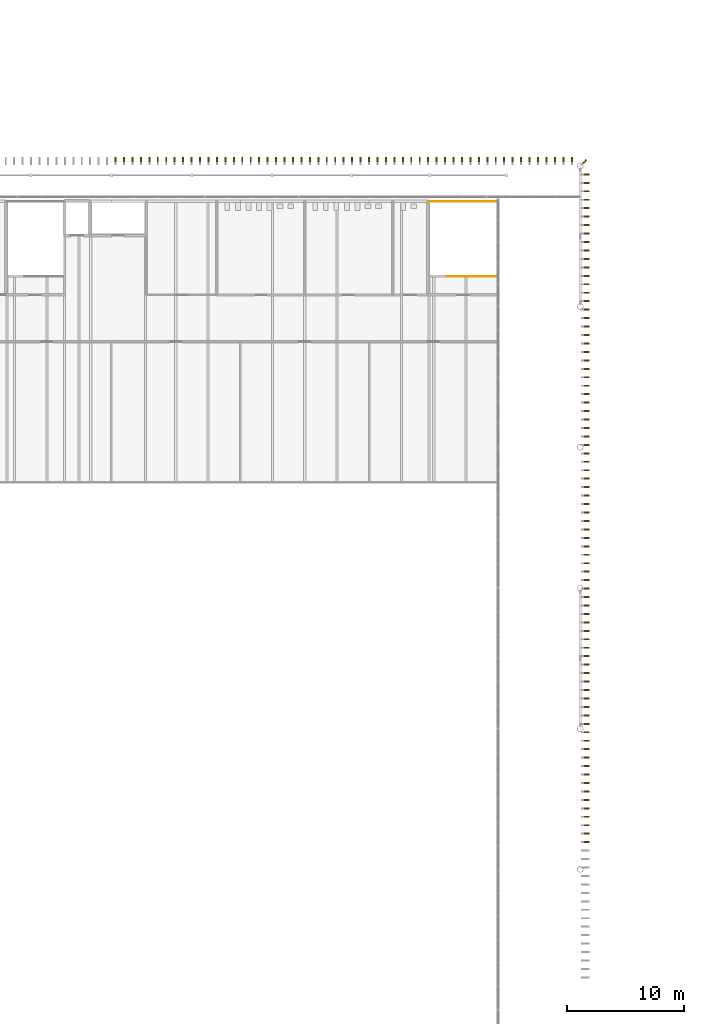
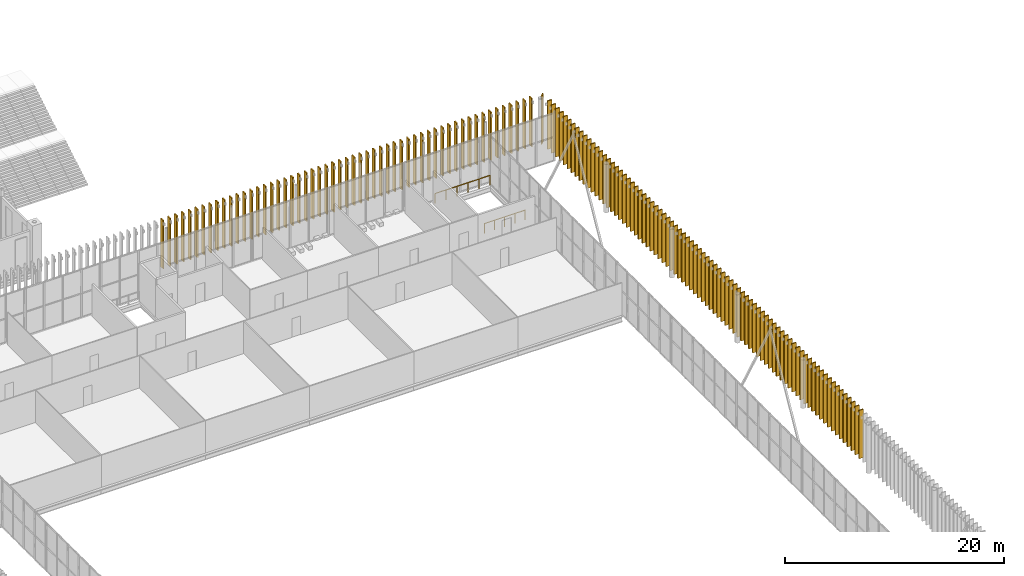
# One storey, part 163 of 170: 136 shading devices, 2 railings.
"""IFC4 building model written with IfcOpenShell, lengths in metres."""

from ifc_helpers import new_model, si_unit, direction, frame, origin, origin_2d, place, context, subcontext, project, spatial, rectangle, circle, extrude, material, layer, layer_set, type_object, element, save


model = new_model("IFC4")

# Units and contexts
model_context = context("Model", 3, precision=1e-05, world=origin(), true_north=direction((0.0, 1.0)))
body_context = subcontext(model_context, "Body", "Model", "MODEL_VIEW")
ifc_project = project(units=[si_unit("LENGTHUNIT", "METRE"), si_unit("AREAUNIT", "SQUARE_METRE"), si_unit("VOLUMEUNIT", "CUBIC_METRE"), si_unit("PLANEANGLEUNIT", "RADIAN"), si_unit("MASSUNIT", "GRAM", prefix="KILO")], contexts=[model_context])

# Site, building, storey
site_placement = place(None, origin())
site = spatial("IfcSite", under=ifc_project, at=site_placement, CompositionType="ELEMENT")
building_placement = place(site_placement, origin())
building = spatial("IfcBuilding", under=site, at=building_placement, Name="Ravi Spectrum Wholesale Market", CompositionType="ELEMENT")
storey_placement = place(building_placement, frame((0.0, 0.0, 5.39990234375)))
storey = spatial("IfcBuildingStorey", under=building, at=storey_placement, Name="L01", CompositionType="ELEMENT", Elevation=5.39990234375)

# Shading devices
ifc_material_1 = material(Name="Glazed ceramic teal 17")
ifc_layer_1 = layer(ifc_material_1, 0.1201171875)
ifc_layer_set_1 = layer_set([ifc_layer_1], Name="Glazed ceramic teal 17")
shading_device_type_1 = type_object("IfcShadingDeviceType", Name="Glazed ceramic fin 17", PredefinedType="USERDEFINED", material=ifc_layer_set_1)
for number, where, z_axis, x_axis, name in (
    (1, (110.52490234375, 140.317626953125, 0.000244140625), (0.0, 0.0, 1.0), (0.0, 1.0, 0.0), "Fin F507 Glazed ceramic teal 17"),
    (2, (110.52490234375, 141.03857421875, 0.000244140625), (0.0, 0.0, 1.0), (0.0, 1.0, 0.0), "Fin F508 Glazed ceramic teal 17"),
    (3, (110.52490234375, 141.759765625, 0.000244140625), (0.0, 0.0, 1.0), (0.0, 1.0, 0.0), "Fin F509 Glazed ceramic teal 17"),
    (4, (110.52490234375, 142.480712890625, 0.000244140625), (0.0, 0.0, 1.0), (0.0, 1.0, 0.0), "Fin F510 Glazed ceramic teal 17"),
    (5, (110.52490234375, 143.20166015625, 0.000244140625), (0.0, 0.0, 1.0), (0.0, 1.0, 0.0), "Fin F511 Glazed ceramic teal 17"),
):
    element("IfcShadingDevice", number, at=place(storey_placement, frame(where, z_axis=z_axis, x_axis=x_axis)), inside=storey, type_object=shading_device_type_1, Name=name, ObjectType="FIN", PredefinedType="USERDEFINED", context=body_context, shape_type="SweptSolid", body=[
        extrude(rectangle(XDim=0.1201171875, YDim=0.449951171875, at=origin_2d()), origin(), (0.0, 0.0, 1.0), 5.39990234375),
    ])
ifc_material_2 = material(Name="Glazed ceramic cyan 18")
ifc_layer_2 = layer(ifc_material_2, 0.1201171875)
ifc_layer_set_2 = layer_set([ifc_layer_2], Name="Glazed ceramic cyan 18")
shading_device_type_2 = type_object("IfcShadingDeviceType", Name="Glazed ceramic fin 18", PredefinedType="USERDEFINED", material=ifc_layer_set_2)
for number, where, z_axis, x_axis, name in (
    (6, (110.52490234375, 143.9228515625, 0.000244140625), (0.0, 0.0, 1.0), (0.0, 1.0, 0.0), "Fin F512 Glazed ceramic cyan 18"),
    (7, (110.52490234375, 144.643798828125, 0.000244140625), (0.0, 0.0, 1.0), (0.0, 1.0, 0.0), "Fin F513 Glazed ceramic cyan 18"),
    (8, (110.52490234375, 145.36474609375, 0.000244140625), (0.0, 0.0, 1.0), (0.0, 1.0, 0.0), "Fin F514 Glazed ceramic cyan 18"),
    (9, (110.52490234375, 146.0859375, 0.000244140625), (0.0, 0.0, 1.0), (0.0, 1.0, 0.0), "Fin F515 Glazed ceramic cyan 18"),
    (10, (110.52490234375, 146.806884765625, 0.000244140625), (0.0, 0.0, 1.0), (0.0, 1.0, 0.0), "Fin F516 Glazed ceramic cyan 18"),
    (11, (110.52490234375, 147.52783203125, 0.000244140625), (0.0, 0.0, 1.0), (0.0, 1.0, 0.0), "Fin F517 Glazed ceramic cyan 18"),
    (12, (110.52490234375, 148.2490234375, 0.000244140625), (0.0, 0.0, 1.0), (0.0, 1.0, 0.0), "Fin F518 Glazed ceramic cyan 18"),
    (13, (110.52490234375, 148.969970703125, 0.000244140625), (0.0, 0.0, 1.0), (0.0, 1.0, 0.0), "Fin F519 Glazed ceramic cyan 18"),
    (14, (110.52490234375, 149.69091796875, 0.000244140625), (0.0, 0.0, 1.0), (0.0, 1.0, 0.0), "Fin F520 Glazed ceramic cyan 18"),
    (15, (110.52490234375, 150.412109375, 0.000244140625), (0.0, 0.0, 1.0), (0.0, 1.0, 0.0), "Fin F521 Glazed ceramic cyan 18"),
    (16, (110.52490234375, 151.133056640625, 0.000244140625), (0.0, 0.0, 1.0), (0.0, 1.0, 0.0), "Fin F522 Glazed ceramic cyan 18"),
):
    element("IfcShadingDevice", number, at=place(storey_placement, frame(where, z_axis=z_axis, x_axis=x_axis)), inside=storey, type_object=shading_device_type_2, Name=name, ObjectType="FIN", PredefinedType="USERDEFINED", context=body_context, shape_type="SweptSolid", body=[
        extrude(rectangle(XDim=0.1201171875, YDim=0.449951171875, at=origin_2d()), origin(), (0.0, 0.0, 1.0), 5.39990234375),
    ])
ifc_material_3 = material(Name="Glazed ceramic azure 19")
ifc_layer_3 = layer(ifc_material_3, 0.1201171875)
ifc_layer_set_3 = layer_set([ifc_layer_3], Name="Glazed ceramic azure 19")
shading_device_type_3 = type_object("IfcShadingDeviceType", Name="Glazed ceramic fin 19", PredefinedType="USERDEFINED", material=ifc_layer_set_3)
for number, where, z_axis, x_axis, name in (
    (17, (110.52490234375, 151.85400390625, 0.000244140625), (0.0, 0.0, 1.0), (0.0, 1.0, 0.0), "Fin F523 Glazed ceramic azure 19"),
    (18, (110.52490234375, 152.5751953125, 0.000244140625), (0.0, 0.0, 1.0), (0.0, 1.0, 0.0), "Fin F524 Glazed ceramic azure 19"),
    (19, (110.52490234375, 153.296142578125, 0.000244140625), (0.0, 0.0, 1.0), (0.0, 1.0, 0.0), "Fin F525 Glazed ceramic azure 19"),
    (20, (110.52490234375, 154.01708984375, 0.000244140625), (0.0, 0.0, 1.0), (0.0, 1.0, 0.0), "Fin F526 Glazed ceramic azure 19"),
    (21, (110.52490234375, 154.73828125, 0.000244140625), (0.0, 0.0, 1.0), (0.0, 1.0, 0.0), "Fin F527 Glazed ceramic azure 19"),
    (22, (110.52490234375, 155.459228515625, 0.000244140625), (0.0, 0.0, 1.0), (0.0, 1.0, 0.0), "Fin F528 Glazed ceramic azure 19"),
    (23, (110.52490234375, 156.18017578125, 0.000244140625), (0.0, 0.0, 1.0), (0.0, 1.0, 0.0), "Fin F529 Glazed ceramic azure 19"),
    (24, (110.52490234375, 156.9013671875, 0.000244140625), (0.0, 0.0, 1.0), (0.0, 1.0, 0.0), "Fin F530 Glazed ceramic azure 19"),
    (25, (110.52490234375, 157.622314453125, 0.000244140625), (0.0, 0.0, 1.0), (0.0, 1.0, 0.0), "Fin F531 Glazed ceramic azure 19"),
    (26, (110.52490234375, 158.34326171875, 0.000244140625), (0.0, 0.0, 1.0), (0.0, 1.0, 0.0), "Fin F532 Glazed ceramic azure 19"),
    (27, (110.52490234375, 159.064453125, 0.000244140625), (0.0, 0.0, 1.0), (0.0, 1.0, 0.0), "Fin F533 Glazed ceramic azure 19"),
):
    element("IfcShadingDevice", number, at=place(storey_placement, frame(where, z_axis=z_axis, x_axis=x_axis)), inside=storey, type_object=shading_device_type_3, Name=name, ObjectType="FIN", PredefinedType="USERDEFINED", context=body_context, shape_type="SweptSolid", body=[
        extrude(rectangle(XDim=0.1201171875, YDim=0.449951171875, at=origin_2d()), origin(), (0.0, 0.0, 1.0), 5.39990234375),
    ])
ifc_material_4 = material(Name="Glazed ceramic azure 20")
ifc_layer_4 = layer(ifc_material_4, 0.1201171875)
ifc_layer_set_4 = layer_set([ifc_layer_4], Name="Glazed ceramic azure 20")
shading_device_type_4 = type_object("IfcShadingDeviceType", Name="Glazed ceramic fin 20", PredefinedType="USERDEFINED", material=ifc_layer_set_4)
for number, where, z_axis, x_axis, name in (
    (28, (110.52490234375, 159.785400390625, 0.000244140625), (0.0, 0.0, 1.0), (0.0, 1.0, 0.0), "Fin F534 Glazed ceramic azure 20"),
    (29, (110.52490234375, 160.50634765625, 0.000244140625), (0.0, 0.0, 1.0), (0.0, 1.0, 0.0), "Fin F535 Glazed ceramic azure 20"),
    (30, (110.52490234375, 161.2275390625, 0.000244140625), (0.0, 0.0, 1.0), (0.0, 1.0, 0.0), "Fin F536 Glazed ceramic azure 20"),
    (31, (110.52490234375, 161.948486328125, 0.000244140625), (0.0, 0.0, 1.0), (0.0, 1.0, 0.0), "Fin F537 Glazed ceramic azure 20"),
    (32, (110.52490234375, 162.66943359375, 0.000244140625), (0.0, 0.0, 1.0), (0.0, 1.0, 0.0), "Fin F538 Glazed ceramic azure 20"),
    (33, (110.52490234375, 163.390625, 0.000244140625), (0.0, 0.0, 1.0), (0.0, 1.0, 0.0), "Fin F539 Glazed ceramic azure 20"),
    (34, (110.52490234375, 164.111572265625, 0.000244140625), (0.0, 0.0, 1.0), (0.0, 1.0, 0.0), "Fin F540 Glazed ceramic azure 20"),
    (35, (110.52490234375, 164.83251953125, 0.000244140625), (0.0, 0.0, 1.0), (0.0, 1.0, 0.0), "Fin F541 Glazed ceramic azure 20"),
    (36, (110.52490234375, 165.5537109375, 0.000244140625), (0.0, 0.0, 1.0), (0.0, 1.0, 0.0), "Fin F542 Glazed ceramic azure 20"),
    (37, (110.52490234375, 166.274658203125, 0.000244140625), (0.0, 0.0, 1.0), (0.0, 1.0, 0.0), "Fin F543 Glazed ceramic azure 20"),
    (38, (110.52490234375, 166.99560546875, 0.000244140625), (0.0, 0.0, 1.0), (0.0, 1.0, 0.0), "Fin F544 Glazed ceramic azure 20"),
):
    element("IfcShadingDevice", number, at=place(storey_placement, frame(where, z_axis=z_axis, x_axis=x_axis)), inside=storey, type_object=shading_device_type_4, Name=name, ObjectType="FIN", PredefinedType="USERDEFINED", context=body_context, shape_type="SweptSolid", body=[
        extrude(rectangle(XDim=0.1201171875, YDim=0.449951171875, at=origin_2d()), origin(), (0.0, 0.0, 1.0), 5.39990234375),
    ])
ifc_material_5 = material(Name="Glazed ceramic blue 21")
ifc_layer_5 = layer(ifc_material_5, 0.1201171875)
ifc_layer_set_5 = layer_set([ifc_layer_5], Name="Glazed ceramic blue 21")
shading_device_type_5 = type_object("IfcShadingDeviceType", Name="Glazed ceramic fin 21", PredefinedType="USERDEFINED", material=ifc_layer_set_5)
for number, where, z_axis, x_axis, name in (
    (39, (110.52490234375, 167.716796875, 0.000244140625), (0.0, 0.0, 1.0), (0.0, 1.0, 0.0), "Fin F545 Glazed ceramic blue 21"),
    (40, (110.52490234375, 168.437744140625, 0.000244140625), (0.0, 0.0, 1.0), (0.0, 1.0, 0.0), "Fin F546 Glazed ceramic blue 21"),
    (41, (110.52490234375, 169.15869140625, 0.000244140625), (0.0, 0.0, 1.0), (0.0, 1.0, 0.0), "Fin F547 Glazed ceramic blue 21"),
    (42, (110.52490234375, 169.8798828125, 0.000244140625), (0.0, 0.0, 1.0), (0.0, 1.0, 0.0), "Fin F548 Glazed ceramic blue 21"),
    (43, (110.52490234375, 170.600830078125, 0.000244140625), (0.0, 0.0, 1.0), (0.0, 1.0, 0.0), "Fin F549 Glazed ceramic blue 21"),
    (44, (110.52490234375, 171.32177734375, 0.000244140625), (0.0, 0.0, 1.0), (0.0, 1.0, 0.0), "Fin F550 Glazed ceramic blue 21"),
    (45, (110.52490234375, 172.04296875, 0.000244140625), (0.0, 0.0, 1.0), (0.0, 1.0, 0.0), "Fin F551 Glazed ceramic blue 21"),
    (46, (110.52490234375, 172.763916015625, 0.000244140625), (0.0, 0.0, 1.0), (0.0, 1.0, 0.0), "Fin F552 Glazed ceramic blue 21"),
    (47, (110.52490234375, 173.48486328125, 0.000244140625), (0.0, 0.0, 1.0), (0.0, 1.0, 0.0), "Fin F553 Glazed ceramic blue 21"),
    (48, (110.52490234375, 174.2060546875, 0.000244140625), (0.0, 0.0, 1.0), (0.0, 1.0, 0.0), "Fin F554 Glazed ceramic blue 21"),
):
    element("IfcShadingDevice", number, at=place(storey_placement, frame(where, z_axis=z_axis, x_axis=x_axis)), inside=storey, type_object=shading_device_type_5, Name=name, ObjectType="FIN", PredefinedType="USERDEFINED", context=body_context, shape_type="SweptSolid", body=[
        extrude(rectangle(XDim=0.1201171875, YDim=0.449951171875, at=origin_2d()), origin(), (0.0, 0.0, 1.0), 5.39990234375),
    ])
ifc_material_6 = material(Name="Glazed ceramic blue 22")
ifc_layer_6 = layer(ifc_material_6, 0.1201171875)
ifc_layer_set_6 = layer_set([ifc_layer_6], Name="Glazed ceramic blue 22")
shading_device_type_6 = type_object("IfcShadingDeviceType", Name="Glazed ceramic fin 22", PredefinedType="USERDEFINED", material=ifc_layer_set_6)
for number, where, z_axis, x_axis, name in (
    (49, (110.52490234375, 174.927001953125, 0.000244140625), (0.0, 0.0, 1.0), (0.0, 1.0, 0.0), "Fin F555 Glazed ceramic blue 22"),
    (50, (110.52490234375, 175.64794921875, 0.000244140625), (0.0, 0.0, 1.0), (0.0, 1.0, 0.0), "Fin F556 Glazed ceramic blue 22"),
    (51, (110.52490234375, 176.369140625, 0.000244140625), (0.0, 0.0, 1.0), (0.0, 1.0, 0.0), "Fin F557 Glazed ceramic blue 22"),
    (52, (110.52490234375, 177.090087890625, 0.000244140625), (0.0, 0.0, 1.0), (0.0, 1.0, 0.0), "Fin F558 Glazed ceramic blue 22"),
    (53, (110.52490234375, 177.811279296875, 0.000244140625), (0.0, 0.0, 1.0), (0.0, 1.0, 0.0), "Fin F559 Glazed ceramic blue 22"),
    (54, (110.52490234375, 178.5322265625, 0.000244140625), (0.0, 0.0, 1.0), (0.0, 1.0, 0.0), "Fin F560 Glazed ceramic blue 22"),
    (55, (110.52490234375, 179.253173828125, 0.000244140625), (0.0, 0.0, 1.0), (0.0, 1.0, 0.0), "Fin F561 Glazed ceramic blue 22"),
    (56, (110.52490234375, 179.974365234375, 0.000244140625), (0.0, 0.0, 1.0), (0.0, 1.0, 0.0), "Fin F562 Glazed ceramic blue 22"),
    (57, (110.52490234375, 180.6953125, 0.000244140625), (0.0, 0.0, 1.0), (0.0, 1.0, 0.0), "Fin F563 Glazed ceramic blue 22"),
    (58, (110.52490234375, 181.416259765625, 0.000244140625), (0.0, 0.0, 1.0), (0.0, 1.0, 0.0), "Fin F564 Glazed ceramic blue 22"),
    (59, (110.52490234375, 182.137451171875, 0.000244140625), (0.0, 0.0, 1.0), (0.0, 1.0, 0.0), "Fin F565 Glazed ceramic blue 22"),
):
    element("IfcShadingDevice", number, at=place(storey_placement, frame(where, z_axis=z_axis, x_axis=x_axis)), inside=storey, type_object=shading_device_type_6, Name=name, ObjectType="FIN", PredefinedType="USERDEFINED", context=body_context, shape_type="SweptSolid", body=[
        extrude(rectangle(XDim=0.1201171875, YDim=0.449951171875, at=origin_2d()), origin(), (0.0, 0.0, 1.0), 5.39990234375),
    ])
ifc_material_7 = material(Name="Glazed ceramic indigo 23")
ifc_layer_7 = layer(ifc_material_7, 0.1201171875)
ifc_layer_set_7 = layer_set([ifc_layer_7], Name="Glazed ceramic indigo 23")
shading_device_type_7 = type_object("IfcShadingDeviceType", Name="Glazed ceramic fin 23", PredefinedType="USERDEFINED", material=ifc_layer_set_7)
for number, where, z_axis, x_axis, name in (
    (60, (110.52490234375, 182.8583984375, 0.000244140625), (0.0, 0.0, 1.0), (0.0, 1.0, 0.0), "Fin F566 Glazed ceramic indigo 23"),
    (61, (110.52490234375, 183.579345703125, 0.000244140625), (0.0, 0.0, 1.0), (0.0, 1.0, 0.0), "Fin F567 Glazed ceramic indigo 23"),
    (62, (110.52490234375, 184.300537109375, 0.000244140625), (0.0, 0.0, 1.0), (0.0, 1.0, 0.0), "Fin F568 Glazed ceramic indigo 23"),
    (63, (110.52490234375, 185.021484375, 0.000244140625), (0.0, 0.0, 1.0), (0.0, 1.0, 0.0), "Fin F569 Glazed ceramic indigo 23"),
    (64, (110.52490234375, 185.742431640625, 0.000244140625), (0.0, 0.0, 1.0), (0.0, 1.0, 0.0), "Fin F570 Glazed ceramic indigo 23"),
    (65, (110.52490234375, 186.463623046875, 0.000244140625), (0.0, 0.0, 1.0), (0.0, 1.0, 0.0), "Fin F571 Glazed ceramic indigo 23"),
    (66, (110.52490234375, 187.1845703125, 0.000244140625), (0.0, 0.0, 1.0), (0.0, 1.0, 0.0), "Fin F572 Glazed ceramic indigo 23"),
    (67, (110.52490234375, 187.905517578125, 0.000244140625), (0.0, 0.0, 1.0), (0.0, 1.0, 0.0), "Fin F573 Glazed ceramic indigo 23"),
    (68, (110.52490234375, 188.626708984375, 0.000244140625), (0.0, 0.0, 1.0), (0.0, 1.0, 0.0), "Fin F574 Glazed ceramic indigo 23"),
    (69, (110.52490234375, 189.34765625, 0.000244140625), (0.0, 0.0, 1.0), (0.0, 1.0, 0.0), "Fin F575 Glazed ceramic indigo 23"),
    (70, (110.52490234375, 190.068603515625, 0.000244140625), (0.0, 0.0, 1.0), (0.0, 1.0, 0.0), "Fin F576 Glazed ceramic indigo 23"),
):
    element("IfcShadingDevice", number, at=place(storey_placement, frame(where, z_axis=z_axis, x_axis=x_axis)), inside=storey, type_object=shading_device_type_7, Name=name, ObjectType="FIN", PredefinedType="USERDEFINED", context=body_context, shape_type="SweptSolid", body=[
        extrude(rectangle(XDim=0.1201171875, YDim=0.449951171875, at=origin_2d()), origin(), (0.0, 0.0, 1.0), 5.39990234375),
    ])
ifc_material_8 = material(Name="Glazed ceramic violet 24")
ifc_layer_8 = layer(ifc_material_8, 0.1201171875)
ifc_layer_set_8 = layer_set([ifc_layer_8], Name="Glazed ceramic violet 24")
shading_device_type_8 = type_object("IfcShadingDeviceType", Name="Glazed ceramic fin 24", PredefinedType="USERDEFINED", material=ifc_layer_set_8)
for number, where, z_axis, x_axis, name in (
    (71, (110.52490234375, 190.789794921875, 0.000244140625), (0.0, 0.0, 1.0), (0.0, 1.0, 0.0), "Fin F577 Glazed ceramic violet 24"),
    (72, (110.52490234375, 191.5107421875, 0.000244140625), (0.0, 0.0, 1.0), (0.0, 1.0, 0.0), "Fin F578 Glazed ceramic violet 24"),
    (73, (110.52490234375, 192.231689453125, 0.000244140625), (0.0, 0.0, 1.0), (0.0, 1.0, 0.0), "Fin F579 Glazed ceramic violet 24"),
    (74, (110.52490234375, 192.952880859375, 0.000244140625), (0.0, 0.0, 1.0), (0.0, 1.0, 0.0), "Fin F580 Glazed ceramic violet 24"),
    (75, (110.52490234375, 193.673828125, 0.000244140625), (0.0, 0.0, 1.0), (0.0, 1.0, 0.0), "Fin F581 Glazed ceramic violet 24"),
    (76, (110.52490234375, 194.394775390625, 0.000244140625), (0.0, 0.0, 1.0), (0.0, 1.0, 0.0), "Fin F582 Glazed ceramic violet 24"),
    (77, (110.52490234375, 195.115966796875, 0.000244140625), (0.0, 0.0, 1.0), (0.0, 1.0, 0.0), "Fin F583 Glazed ceramic violet 24"),
    (78, (110.52490234375, 195.8369140625, 0.000244140625), (0.0, 0.0, 1.0), (0.0, 1.0, 0.0), "Fin F584 Glazed ceramic violet 24"),
    (79, (110.52490234375, 196.557861328125, 0.000244140625), (0.0, 0.0, 1.0), (0.0, 1.0, 0.0), "Fin F585 Glazed ceramic violet 24"),
    (80, (110.52490234375, 197.279052734375, 0.000244140625), (0.0, 0.0, 1.0), (0.0, 1.0, 0.0), "Fin F586 Glazed ceramic violet 24"),
    (81, (110.371337890625, 198.371337890625, 0.000244140625), (0.0, 0.0, 1.0), (-0.707106781187, 0.707106781187, 0.0), "Fin F587 Glazed ceramic violet 24"),
    (82, (109.279296875, 198.52490234375, 0.000244140625), (0.0, 0.0, 1.0), (-1.0, 0.0, 0.0), "Fin F588 Glazed ceramic violet 24"),
    (83, (108.55859375, 198.52490234375, 0.000244140625), (0.0, 0.0, 1.0), (-1.0, 0.0, 0.0), "Fin F589 Glazed ceramic violet 24"),
    (84, (107.837890625, 198.52490234375, 0.000244140625), (0.0, 0.0, 1.0), (-1.0, 0.0, 0.0), "Fin F590 Glazed ceramic violet 24"),
    (85, (107.1171875, 198.52490234375, 0.000244140625), (0.0, 0.0, 1.0), (-1.0, 0.0, 0.0), "Fin F591 Glazed ceramic violet 24"),
    (86, (106.396484375, 198.52490234375, 0.000244140625), (0.0, 0.0, 1.0), (-1.0, 0.0, 0.0), "Fin F592 Glazed ceramic violet 24"),
    (87, (105.67578125, 198.52490234375, 0.000244140625), (0.0, 0.0, 1.0), (-1.0, 0.0, 0.0), "Fin F593 Glazed ceramic violet 24"),
    (88, (104.954833984375, 198.52490234375, 0.000244140625), (0.0, 0.0, 1.0), (-1.0, 0.0, 0.0), "Fin F594 Glazed ceramic violet 24"),
    (89, (104.234130859375, 198.52490234375, 0.000244140625), (0.0, 0.0, 1.0), (-1.0, 0.0, 0.0), "Fin F595 Glazed ceramic violet 24"),
    (90, (103.513427734375, 198.52490234375, 0.000244140625), (0.0, 0.0, 1.0), (-1.0, 0.0, 0.0), "Fin F596 Glazed ceramic violet 24"),
    (91, (102.792724609375, 198.52490234375, 0.000244140625), (0.0, 0.0, 1.0), (-1.0, 0.0, 0.0), "Fin F597 Glazed ceramic violet 24"),
    (92, (102.072021484375, 198.52490234375, 0.000244140625), (0.0, 0.0, 1.0), (-1.0, 0.0, 0.0), "Fin F598 Glazed ceramic violet 24"),
    (93, (101.351318359375, 198.52490234375, 0.000244140625), (0.0, 0.0, 1.0), (-1.0, 0.0, 0.0), "Fin F599 Glazed ceramic violet 24"),
    (94, (100.630615234375, 198.52490234375, 0.000244140625), (0.0, 0.0, 1.0), (-1.0, 0.0, 0.0), "Fin F600 Glazed ceramic violet 24"),
    (95, (99.909912109375, 198.52490234375, 0.000244140625), (0.0, 0.0, 1.0), (-1.0, 0.0, 0.0), "Fin F601 Glazed ceramic violet 24"),
    (96, (99.189208984375, 198.52490234375, 0.000244140625), (0.0, 0.0, 1.0), (-1.0, 0.0, 0.0), "Fin F602 Glazed ceramic violet 24"),
    (97, (98.468505859375, 198.52490234375, 0.000244140625), (0.0, 0.0, 1.0), (-1.0, 0.0, 0.0), "Fin F603 Glazed ceramic violet 24"),
    (98, (97.747802734375, 198.52490234375, 0.000244140625), (0.0, 0.0, 1.0), (-1.0, 0.0, 0.0), "Fin F604 Glazed ceramic violet 24"),
    (99, (97.027099609375, 198.52490234375, 0.000244140625), (0.0, 0.0, 1.0), (-1.0, 0.0, 0.0), "Fin F605 Glazed ceramic violet 24"),
    (100, (96.306396484375, 198.52490234375, 0.000244140625), (0.0, 0.0, 1.0), (-1.0, 0.0, 0.0), "Fin F606 Glazed ceramic violet 24"),
    (101, (95.585693359375, 198.52490234375, 0.000244140625), (0.0, 0.0, 1.0), (-1.0, 0.0, 0.0), "Fin F607 Glazed ceramic violet 24"),
    (102, (94.86474609375, 198.52490234375, 0.000244140625), (0.0, 0.0, 1.0), (-1.0, 0.0, 0.0), "Fin F608 Glazed ceramic violet 24"),
    (103, (94.14404296875, 198.52490234375, 0.000244140625), (0.0, 0.0, 1.0), (-1.0, 0.0, 0.0), "Fin F609 Glazed ceramic violet 24"),
    (104, (93.42333984375, 198.52490234375, 0.000244140625), (0.0, 0.0, 1.0), (-1.0, 0.0, 0.0), "Fin F610 Glazed ceramic violet 24"),
    (105, (92.70263671875, 198.52490234375, 0.000244140625), (0.0, 0.0, 1.0), (-1.0, 0.0, 0.0), "Fin F611 Glazed ceramic violet 24"),
    (106, (91.98193359375, 198.52490234375, 0.000244140625), (0.0, 0.0, 1.0), (-1.0, 0.0, 0.0), "Fin F612 Glazed ceramic violet 24"),
    (107, (91.26123046875, 198.52490234375, 0.000244140625), (0.0, 0.0, 1.0), (-1.0, 0.0, 0.0), "Fin F613 Glazed ceramic violet 24"),
    (108, (90.54052734375, 198.52490234375, 0.000244140625), (0.0, 0.0, 1.0), (-1.0, 0.0, 0.0), "Fin F614 Glazed ceramic violet 24"),
    (109, (89.81982421875, 198.52490234375, 0.000244140625), (0.0, 0.0, 1.0), (-1.0, 0.0, 0.0), "Fin F615 Glazed ceramic violet 24"),
    (110, (89.09912109375, 198.52490234375, 0.000244140625), (0.0, 0.0, 1.0), (-1.0, 0.0, 0.0), "Fin F616 Glazed ceramic violet 24"),
    (111, (88.37841796875, 198.52490234375, 0.000244140625), (0.0, 0.0, 1.0), (-1.0, 0.0, 0.0), "Fin F617 Glazed ceramic violet 24"),
    (112, (87.65771484375, 198.52490234375, 0.000244140625), (0.0, 0.0, 1.0), (-1.0, 0.0, 0.0), "Fin F618 Glazed ceramic violet 24"),
    (113, (86.93701171875, 198.52490234375, 0.000244140625), (0.0, 0.0, 1.0), (-1.0, 0.0, 0.0), "Fin F619 Glazed ceramic violet 24"),
    (114, (86.21630859375, 198.52490234375, 0.000244140625), (0.0, 0.0, 1.0), (-1.0, 0.0, 0.0), "Fin F620 Glazed ceramic violet 24"),
    (115, (85.49560546875, 198.52490234375, 0.000244140625), (0.0, 0.0, 1.0), (-1.0, 0.0, 0.0), "Fin F621 Glazed ceramic violet 24"),
    (116, (84.774658203125, 198.52490234375, 0.000244140625), (0.0, 0.0, 1.0), (-1.0, 0.0, 0.0), "Fin F622 Glazed ceramic violet 24"),
    (117, (84.053955078125, 198.52490234375, 0.000244140625), (0.0, 0.0, 1.0), (-1.0, 0.0, 0.0), "Fin F623 Glazed ceramic violet 24"),
    (118, (83.333251953125, 198.52490234375, 0.000244140625), (0.0, 0.0, 1.0), (-1.0, 0.0, 0.0), "Fin F624 Glazed ceramic violet 24"),
    (119, (82.612548828125, 198.52490234375, 0.000244140625), (0.0, 0.0, 1.0), (-1.0, 0.0, 0.0), "Fin F625 Glazed ceramic violet 24"),
    (120, (81.891845703125, 198.52490234375, 0.000244140625), (0.0, 0.0, 1.0), (-1.0, 0.0, 0.0), "Fin F626 Glazed ceramic violet 24"),
    (121, (81.171142578125, 198.52490234375, 0.000244140625), (0.0, 0.0, 1.0), (-1.0, 0.0, 0.0), "Fin F627 Glazed ceramic violet 24"),
    (122, (80.450439453125, 198.52490234375, 0.000244140625), (0.0, 0.0, 1.0), (-1.0, 0.0, 0.0), "Fin F628 Glazed ceramic violet 24"),
    (123, (79.729736328125, 198.52490234375, 0.000244140625), (0.0, 0.0, 1.0), (-1.0, 0.0, 0.0), "Fin F629 Glazed ceramic violet 24"),
    (124, (79.009033203125, 198.52490234375, 0.000244140625), (0.0, 0.0, 1.0), (-1.0, 0.0, 0.0), "Fin F630 Glazed ceramic violet 24"),
    (125, (78.288330078125, 198.52490234375, 0.000244140625), (0.0, 0.0, 1.0), (-1.0, 0.0, 0.0), "Fin F631 Glazed ceramic violet 24"),
    (126, (77.567626953125, 198.52490234375, 0.000244140625), (0.0, 0.0, 1.0), (-1.0, 0.0, 0.0), "Fin F632 Glazed ceramic violet 24"),
    (127, (76.846923828125, 198.52490234375, 0.000244140625), (0.0, 0.0, 1.0), (-1.0, 0.0, 0.0), "Fin F633 Glazed ceramic violet 24"),
    (128, (76.126220703125, 198.52490234375, 0.000244140625), (0.0, 0.0, 1.0), (-1.0, 0.0, 0.0), "Fin F634 Glazed ceramic violet 24"),
    (129, (75.405517578125, 198.52490234375, 0.000244140625), (0.0, 0.0, 1.0), (-1.0, 0.0, 0.0), "Fin F635 Glazed ceramic violet 24"),
    (130, (74.6845703125, 198.52490234375, 0.000244140625), (0.0, 0.0, 1.0), (-1.0, 0.0, 0.0), "Fin F636 Glazed ceramic violet 24"),
    (131, (73.9638671875, 198.52490234375, 0.000244140625), (0.0, 0.0, 1.0), (-1.0, 0.0, 0.0), "Fin F637 Glazed ceramic violet 24"),
    (132, (73.2431640625, 198.52490234375, 0.000244140625), (0.0, 0.0, 1.0), (-1.0, 0.0, 0.0), "Fin F638 Glazed ceramic violet 24"),
    (133, (72.5224609375, 198.52490234375, 0.000244140625), (0.0, 0.0, 1.0), (-1.0, 0.0, 0.0), "Fin F639 Glazed ceramic violet 24"),
    (134, (71.8017578125, 198.52490234375, 0.000244140625), (0.0, 0.0, 1.0), (-1.0, 0.0, 0.0), "Fin F640 Glazed ceramic violet 24"),
    (135, (71.0810546875, 198.52490234375, 0.000244140625), (0.0, 0.0, 1.0), (-1.0, 0.0, 0.0), "Fin F641 Glazed ceramic violet 24"),
    (136, (70.3603515625, 198.52490234375, 0.000244140625), (0.0, 0.0, 1.0), (-1.0, 0.0, 0.0), "Fin F642 Glazed ceramic violet 24"),
):
    element("IfcShadingDevice", number, at=place(storey_placement, frame(where, z_axis=z_axis, x_axis=x_axis)), inside=storey, type_object=shading_device_type_8, Name=name, ObjectType="FIN", PredefinedType="USERDEFINED", context=body_context, shape_type="SweptSolid", body=[
        extrude(rectangle(XDim=0.1201171875, YDim=0.449951171875, at=origin_2d()), origin(), (0.0, 0.0, 1.0), 5.39990234375),
    ])

# Railings
ifc_material_9 = material(Name="Steel S355", Category="steel")
railing_type = type_object("IfcRailingType", Name="Guard 1100", PredefinedType="GUARDRAIL", material=ifc_material_9)
railing_1_placement = place(storey_placement, frame((97.10009765625, 194.949951171875, 0.0)))
element("IfcRailing", 137, at=railing_1_placement, inside=storey, type_object=railing_type, Name="H1-RL-S-H1-2-WELL-0", PredefinedType="GUARDRAIL", context=body_context, shape_type="SweptSolid", body=[
    extrude(circle(Radius=0.02392578125, at=origin_2d()), frame((0.0, 0.0, 1.076171875), z_axis=(1.0, 0.0, 0.0), x_axis=(0.0, 1.0, 0.0)), (0.0, 0.0, 1.0), 5.7998046875),
    extrude(circle(Radius=0.02099609375, at=origin_2d()), origin(), (0.0, 0.0, 1.0), 1.052001953125),
    extrude(circle(Radius=0.02099609375, at=origin_2d()), frame((1.159912109375, 0.0, 0.0)), (0.0, 0.0, 1.0), 1.052001953125),
    extrude(circle(Radius=0.02099609375, at=origin_2d()), frame((2.31982421875, 0.0, 0.0)), (0.0, 0.0, 1.0), 1.052001953125),
    extrude(circle(Radius=0.02099609375, at=origin_2d()), frame((3.47998046875, 0.0, 0.0)), (0.0, 0.0, 1.0), 1.052001953125),
    extrude(circle(Radius=0.02099609375, at=origin_2d()), frame((4.639892578125, 0.0, 0.0)), (0.0, 0.0, 1.0), 1.052001953125),
    extrude(circle(Radius=0.02099609375, at=origin_2d()), frame((5.7998046875, 0.0, 0.0)), (0.0, 0.0, 1.0), 1.052001953125),
])
railing_2_placement = place(storey_placement, frame((102.89990234375, 188.550048828125, 0.0)))
element("IfcRailing", 138, at=railing_2_placement, inside=storey, type_object=railing_type, Name="L01 S-H1-2 top well guard 1", PredefinedType="GUARDRAIL", context=body_context, shape_type="SweptSolid", body=[
    extrude(circle(Radius=0.02392578125, at=origin_2d()), frame((0.0, 0.0, 1.076171875), z_axis=(-1.0, 0.0, 0.0), x_axis=(0.0, -1.0, 0.0)), (0.0, 0.0, 1.0), 4.2998046875),
    extrude(circle(Radius=0.02099609375, at=origin_2d()), origin(), (0.0, 0.0, 1.0), 1.052001953125),
    extrude(circle(Radius=0.02099609375, at=origin_2d()), frame((-1.074951171875, 0.0, 0.0)), (0.0, 0.0, 1.0), 1.052001953125),
    extrude(circle(Radius=0.02099609375, at=origin_2d()), frame((-2.14990234375, 0.0, 0.0)), (0.0, 0.0, 1.0), 1.052001953125),
    extrude(circle(Radius=0.02099609375, at=origin_2d()), frame((-3.224853515625, 0.0, 0.0)), (0.0, 0.0, 1.0), 1.052001953125),
    extrude(circle(Radius=0.02099609375, at=origin_2d()), frame((-4.2998046875, 0.0, 0.0)), (0.0, 0.0, 1.0), 1.052001953125),
])

save(model, "model.ifc")
